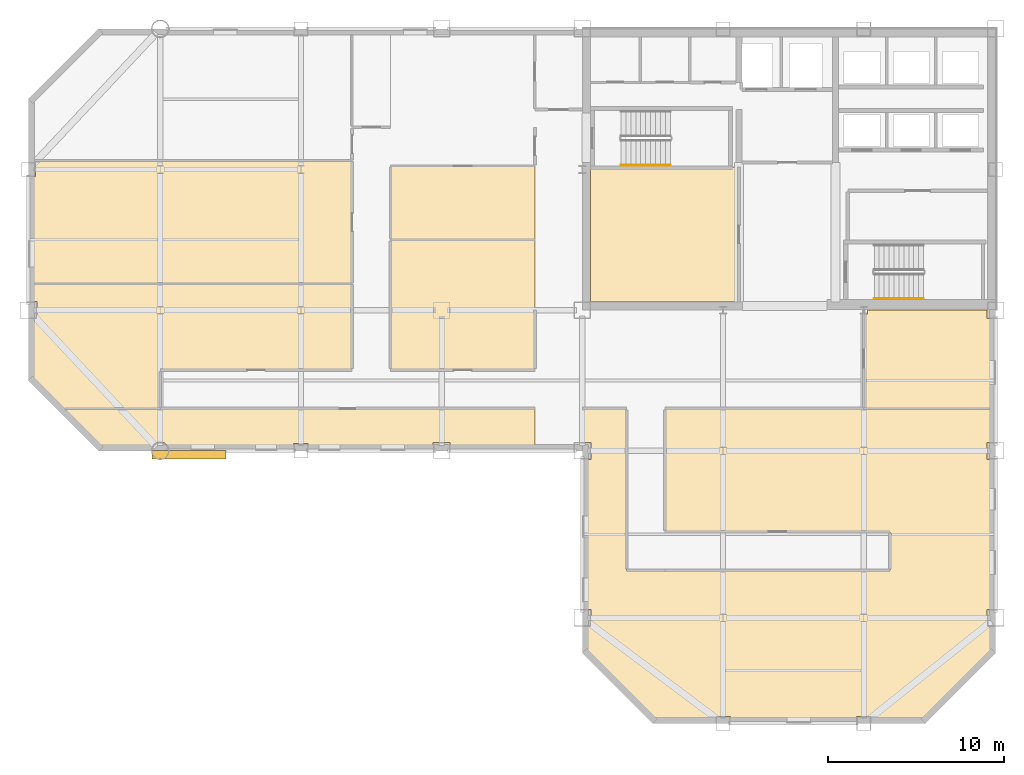
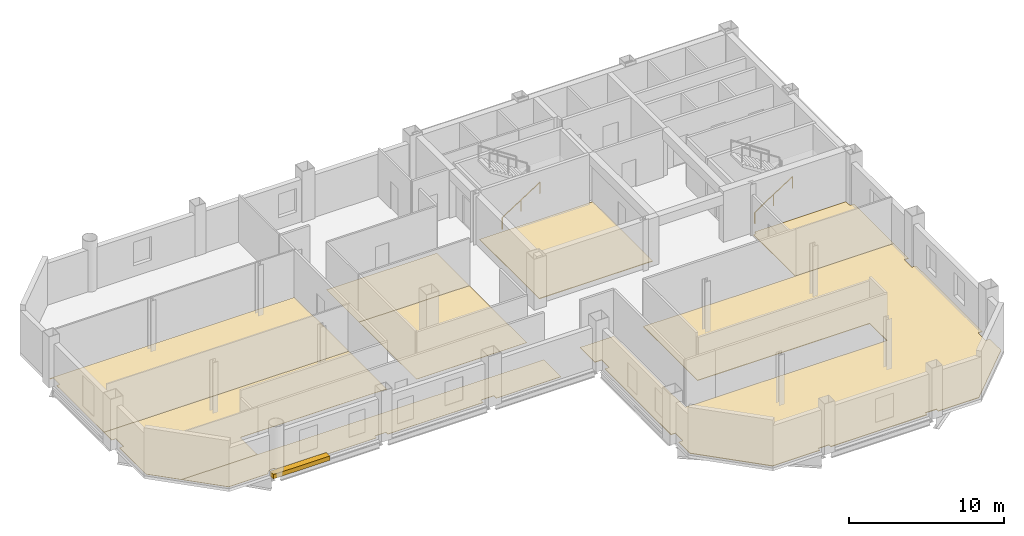
# One storey, part 7 of 10: 8 coverings, 2 railings, 1 shading device.
"""IFC4 building model written with IfcOpenShell, lengths in metres."""

from ifc_helpers import new_model, si_unit, direction, frame, origin, origin_2d, place, context, subcontext, project, spatial, polyline, rectangle, circle, outline, extrude, material, layer, layer_set, type_object, element, save


model = new_model("IFC4")

# Units and contexts
model_context = context("Model", 3, precision=1e-05, world=origin(), true_north=direction((0.0, 1.0)))
body_context = subcontext(model_context, "Body", "Model", "MODEL_VIEW")
ifc_project = project(units=[si_unit("LENGTHUNIT", "METRE"), si_unit("AREAUNIT", "SQUARE_METRE"), si_unit("VOLUMEUNIT", "CUBIC_METRE"), si_unit("PLANEANGLEUNIT", "RADIAN"), si_unit("MASSUNIT", "GRAM", prefix="KILO")], contexts=[model_context])

# Site, building, storey
site_placement = place(None, origin())
site = spatial("IfcSite", under=ifc_project, at=site_placement, CompositionType="ELEMENT")
building_placement = place(site_placement, origin())
building = spatial("IfcBuilding", under=site, at=building_placement, Name="Qianrong Seaharbour Tower", CompositionType="ELEMENT")
storey_placement = place(building_placement, frame((0.0, 0.0, 253.800048828125)))
storey = spatial("IfcBuildingStorey", under=building, at=storey_placement, Name="L61", CompositionType="ELEMENT", Elevation=253.800048828125)

# Coverings
ifc_material_1 = material(Name="Acoustic modular carpet tile flooring")
ifc_layer_1 = layer(ifc_material_1, 0.02001953125)
ifc_layer_set_1 = layer_set([ifc_layer_1], Name="Acoustic modular carpet tile flooring")
covering_type_1 = type_object("IfcCoveringType", Name="COV-FLOOR-CARPET-20", PredefinedType="FLOORING", material=ifc_layer_set_1)
covering_1_placement = place(storey_placement, origin())
element("IfcCovering", 1, at=covering_1_placement, inside=storey, type_object=covering_type_1, Name="L61 Occupational Health Clinic 1 Finish Flooring", PredefinedType="FLOORING", context=body_context, shape_type="SweptSolid", body=[
    extrude(outline(polyline([(16.5, 32.60009765625), (16.5, 30.39990234375), (10.847412109375, 30.39990234375), (9.175048828125, 32.072509765625), (9.175048828125, 35.514892578125), (9.485107421875, 35.514892578125), (9.485107421875, 36.485107421875), (9.175048828125, 36.485107421875), (9.175048828125, 37.5), (27.39990234375, 37.5), (27.39990234375, 32.60009765625), (16.5, 32.60009765625)])), origin(), (0.0, 0.0, 1.0), 0.02001953125),
])
covering_2_placement = place(storey_placement, origin())
element("IfcCovering", 2, at=covering_2_placement, inside=storey, type_object=covering_type_1, Name="L61 Physiotherapy Room 2 Finish Flooring", PredefinedType="FLOORING", context=body_context, shape_type="SweptSolid", body=[
    extrude(outline(polyline([(9.175048828125, 37.5), (9.175048828125, 43.590087890625), (9.409912109375, 43.590087890625), (9.409912109375, 44.409912109375), (9.175048828125, 44.409912109375), (9.175048828125, 44.5), (27.39990234375, 44.5), (27.39990234375, 37.5), (9.175048828125, 37.5)])), origin(), (0.0, 0.0, 1.0), 0.02001953125),
])
covering_3_placement = place(storey_placement, origin())
element("IfcCovering", 3, at=covering_3_placement, inside=storey, type_object=covering_type_1, Name="L61 Medical Examination Room 1 Finish Flooring", PredefinedType="FLOORING", context=body_context, shape_type="SweptSolid", body=[
    extrude(outline(polyline([(37.800048828125, 32.60009765625), (29.60009765625, 32.60009765625), (29.60009765625, 40.0), (37.800048828125, 40.0), (37.800048828125, 32.60009765625)])), origin(), (0.0, 0.0, 1.0), 0.02001953125),
])
covering_4_placement = place(storey_placement, origin())
element("IfcCovering", 4, at=covering_4_placement, inside=storey, type_object=covering_type_1, Name="L61 Wet Pantry 2 Finish Flooring", PredefinedType="FLOORING", context=body_context, shape_type="SweptSolid", body=[
    extrude(outline(polyline([(29.60009765625, 44.199951171875), (37.800048828125, 44.199951171875), (37.800048828125, 40.0), (29.60009765625, 40.0), (29.60009765625, 44.199951171875)])), origin(), (0.0, 0.0, 1.0), 0.02001953125),
])
covering_5_placement = place(storey_placement, origin())
element("IfcCovering", 5, at=covering_5_placement, inside=storey, type_object=covering_type_1, Name="L61 Clinical Dispensary Store Finish Flooring", PredefinedType="FLOORING", context=body_context, shape_type="SweptSolid", body=[
    extrude(outline(polyline([(32.985107421875, 28.175048828125), (32.985107421875, 28.485107421875), (32.014892578125, 28.485107421875), (32.014892578125, 28.175048828125), (24.909912109375, 28.175048828125), (24.909912109375, 28.409912109375), (24.090087890625, 28.409912109375), (24.090087890625, 28.175048828125), (16.977294921875, 28.175048828125), (16.97119140625, 28.1953125), (16.924072265625, 28.283203125), (16.860595703125, 28.360595703125), (16.783203125, 28.424072265625), (16.6953125, 28.47119140625), (16.599609375, 28.500244140625), (16.5, 28.510009765625), (16.400390625, 28.500244140625), (16.3046875, 28.47119140625), (16.216796875, 28.424072265625), (16.139404296875, 28.360595703125), (16.075927734375, 28.283203125), (16.02880859375, 28.1953125), (16.022705078125, 28.175048828125), (13.072509765625, 28.175048828125), (10.847412109375, 30.39990234375), (37.800048828125, 30.39990234375), (37.800048828125, 28.175048828125), (32.985107421875, 28.175048828125)])), origin(), (0.0, 0.0, 1.0), 0.02001953125),
])
ifc_material_2 = material(Name="Calcium-sulphate raised access floor tile")
ifc_layer_2 = layer(ifc_material_2, 0.044921875)
ifc_layer_set_2 = layer_set([ifc_layer_2], Name="Calcium-sulphate raised access floor tile")
covering_type_2 = type_object("IfcCoveringType", Name="COV-FLOOR-RAISED-45", PredefinedType="FLOORING", material=ifc_layer_set_2)
covering_6_placement = place(storey_placement, origin())
element("IfcCovering", 6, at=covering_6_placement, inside=storey, type_object=covering_type_2, Name="L61 Data Systems Office Finish Flooring", PredefinedType="FLOORING", context=body_context, shape_type="SweptSolid", body=[
    extrude(outline(polyline([(49.39990234375, 44.14990234375), (49.39990234375, 36.4599609375), (40.985107421875, 36.4599609375), (40.985107421875, 36.485107421875), (40.9599609375, 36.485107421875), (40.9599609375, 44.14990234375), (49.39990234375, 44.14990234375)])), origin(), (0.0, 0.0, 1.0), 0.044921875),
])
covering_7_placement = place(storey_placement, origin())
element("IfcCovering", 7, at=covering_7_placement, inside=storey, type_object=covering_type_2, Name="L61 South Tip Open-Plan Office Finish Flooring", PredefinedType="FLOORING", context=body_context, shape_type="SweptSolid", body=[
    extrude(outline(polyline([(43.0, 21.199951171875), (58.0, 21.199951171875), (58.0, 23.39990234375), (45.199951171875, 23.39990234375), (45.199951171875, 30.39990234375), (63.824951171875, 30.39990234375), (63.824951171875, 28.485107421875), (63.514892578125, 28.485107421875), (63.514892578125, 27.514892578125), (63.824951171875, 27.514892578125), (63.824951171875, 18.985107421875), (63.514892578125, 18.985107421875), (63.514892578125, 18.014892578125), (63.824951171875, 18.014892578125), (63.824951171875, 16.572509765625), (59.927490234375, 12.675048828125), (56.909912109375, 12.675048828125), (56.909912109375, 12.909912109375), (56.090087890625, 12.909912109375), (56.090087890625, 12.675048828125), (48.909912109375, 12.675048828125), (48.909912109375, 12.909912109375), (48.090087890625, 12.909912109375), (48.090087890625, 12.675048828125), (44.572509765625, 12.675048828125), (40.675048828125, 16.572509765625), (40.675048828125, 18.014892578125), (40.985107421875, 18.014892578125), (40.985107421875, 18.985107421875), (40.675048828125, 18.985107421875), (40.675048828125, 27.514892578125), (40.985107421875, 27.514892578125), (40.985107421875, 28.485107421875), (40.5, 28.485107421875), (40.5, 30.39990234375), (43.0, 30.39990234375), (43.0, 21.199951171875)])), origin(), (0.0, 0.0, 1.0), 0.044921875),
])
covering_8_placement = place(storey_placement, origin())
element("IfcCovering", 8, at=covering_8_placement, inside=storey, type_object=covering_type_2, Name="L61 Health Director Office 2 Finish Flooring", PredefinedType="FLOORING", context=body_context, shape_type="SweptSolid", body=[
    extrude(outline(polyline([(63.824951171875, 30.39990234375), (56.5, 30.39990234375), (56.5, 35.7900390625), (56.7099609375, 35.7900390625), (56.7099609375, 36.0), (63.514892578125, 36.0), (63.514892578125, 35.514892578125), (63.824951171875, 35.514892578125), (63.824951171875, 30.39990234375)])), origin(), (0.0, 0.0, 1.0), 0.044921875),
])

# Railings
ifc_material_3 = material(Name="Stainless steel SUS316L continuous handrail", Category="steel")
railing_type = type_object("IfcRailingType", Name="RAIL-STAIR-HANDRAIL-900", PredefinedType="HANDRAIL", material=ifc_material_3)
railing_1_placement = place(storey_placement, frame((42.699951171875, 44.25, 0.181884765625)))
element("IfcRailing", 9, at=railing_1_placement, inside=storey, type_object=railing_type, Name="L61 ST-1 stair handrail 1", PredefinedType="HANDRAIL", context=body_context, shape_type="SweptSolid", body=[
    extrude(circle(Radius=0.02392578125, at=origin_2d()), frame((0.0, 0.0, 0.8759765625), z_axis=(0.838705829183, 0.0, 0.544584733623), x_axis=(0.0, 1.0, 0.0)), (0.0, 0.0, 1.0), 3.338623046875),
    extrude(circle(Radius=0.02099609375, at=origin_2d()), origin(), (0.0, 0.0, 1.0), 0.851806640625),
    extrude(circle(Radius=0.02099609375, at=origin_2d()), frame((1.39990234375, 0.0, 0.9091796875)), (0.0, 0.0, 1.0), 0.851806640625),
    extrude(circle(Radius=0.02099609375, at=origin_2d()), frame((2.800048828125, 0.0, 1.818115234375)), (0.0, 0.0, 1.0), 0.851806640625),
])
railing_2_placement = place(storey_placement, frame((57.10009765625, 36.64990234375, 0.181884765625)))
element("IfcRailing", 10, at=railing_2_placement, inside=storey, type_object=railing_type, Name="L61 ST-2 stair handrail 1", PredefinedType="HANDRAIL", context=body_context, shape_type="SweptSolid", body=[
    extrude(circle(Radius=0.02392578125, at=origin_2d()), frame((0.0, 0.0, 0.8759765625), z_axis=(0.83868413941, 0.0, 0.544618136222), x_axis=(0.0, 1.0, 0.0)), (0.0, 0.0, 1.0), 3.33837890625),
    extrude(circle(Radius=0.02099609375, at=origin_2d()), origin(), (0.0, 0.0, 1.0), 0.851806640625),
    extrude(circle(Radius=0.02099609375, at=origin_2d()), frame((1.39990234375, 0.0, 0.9091796875)), (0.0, 0.0, 1.0), 0.851806640625),
    extrude(circle(Radius=0.02099609375, at=origin_2d()), frame((2.7998046875, 0.0, 1.818115234375)), (0.0, 0.0, 1.0), 0.851806640625),
])

# Shading device
ifc_material_4 = material(Name="White architectural precast concrete C45/55", Category="concrete")
shading_device_type = type_object("IfcShadingDeviceType", Name="SHD-SUNSHADE-WHITE-320", PredefinedType="AWNING", material=ifc_material_4)
shading_device_placement = place(storey_placement, frame((18.137451171875, 27.780029296875, -0.02001953125), z_axis=(0.0, 0.0, 1.0), x_axis=(1.0, 0.0, 0.0)))
element("IfcShadingDevice", 11, at=shading_device_placement, inside=storey, type_object=shading_device_type, Name="L61 Climbing White Precast Ribbon Canopy Fin", PredefinedType="AWNING", context=body_context, shape_type="SweptSolid", body=[
    extrude(rectangle(XDim=4.199951171875, YDim=0.4599609375, at=origin_2d()), origin(), (0.0, 0.0, 1.0), 0.340087890625),
])

save(model, "model.ifc")
